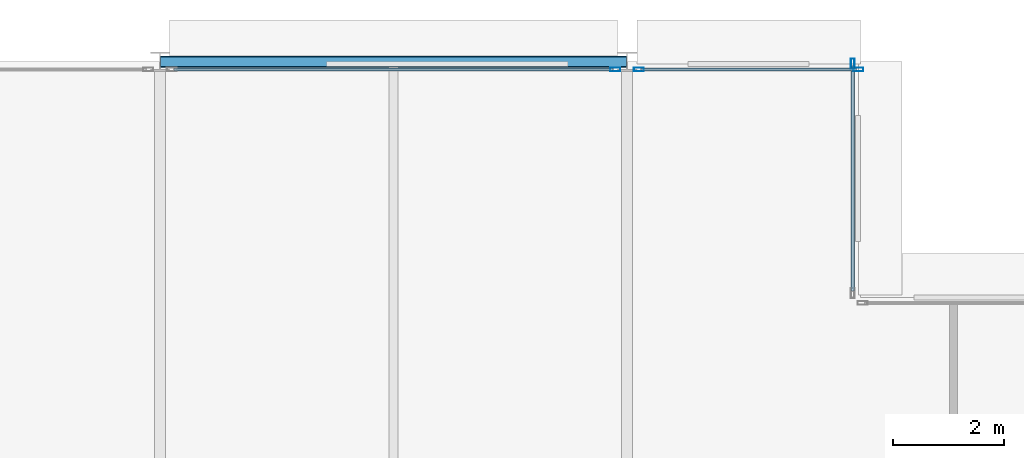
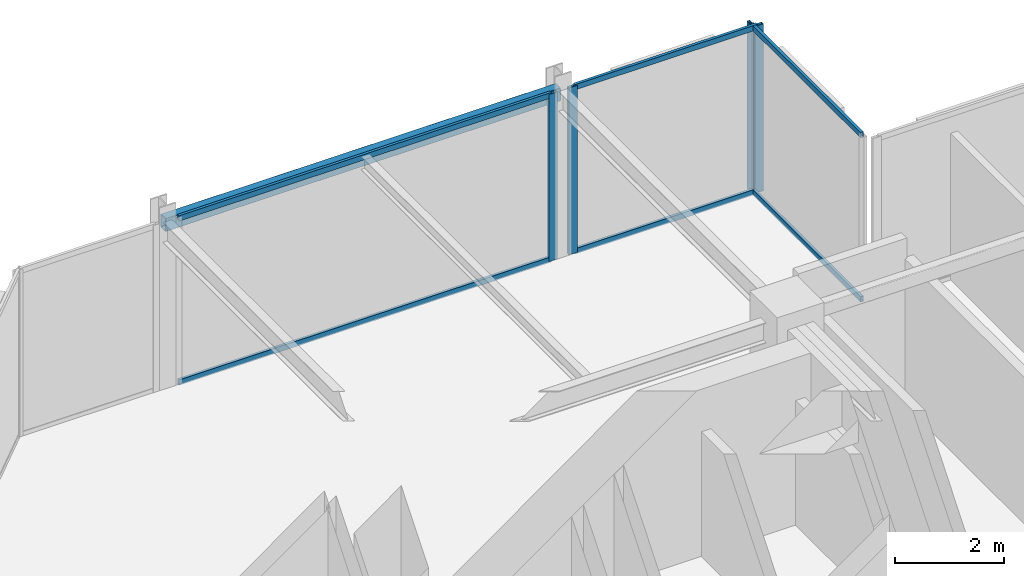
# One storey, part 21 of 30: 10 members, 1 beam, 3 elements without a shape of their own.
"""IFC4 building model written with IfcOpenShell, lengths in metres."""

from ifc_helpers import new_model, si_unit, direction, frame, origin, origin_2d, place, context, subcontext, project, spatial, hollow_rectangle, extrude, material, layer, layer_set, material_profile, profile_set, type_object, element, aggregate, save


model = new_model("IFC4")

# Units and contexts
model_context = context("Model", 3, precision=1e-05, world=origin(), true_north=direction((0.0, 1.0)))
body_context = subcontext(model_context, "Body", "Model", "MODEL_VIEW")
ifc_project = project(units=[si_unit("LENGTHUNIT", "METRE"), si_unit("AREAUNIT", "SQUARE_METRE"), si_unit("VOLUMEUNIT", "CUBIC_METRE"), si_unit("PLANEANGLEUNIT", "RADIAN"), si_unit("MASSUNIT", "GRAM", prefix="KILO")], contexts=[model_context])

# Site, building, storey
site_placement = place(None, origin())
site = spatial("IfcSite", under=ifc_project, at=site_placement, CompositionType="ELEMENT")
building_placement = place(site_placement, origin())
building = spatial("IfcBuilding", under=site, at=building_placement, Name="Nerrivon Quay Data Exchange", CompositionType="ELEMENT")
storey_placement = place(building_placement, frame((0.0, 0.0, 216.5)))
storey = spatial("IfcBuildingStorey", under=building, at=storey_placement, Name="L51", CompositionType="ELEMENT", Elevation=216.5)

# Beam
ifc_material_1 = material(Name="Steel Grade C350L0 (350 MPa)", Category="steel")
ifc_material_profile_1 = material_profile(ifc_material_1, hollow_rectangle(XDim=0.199951171875, YDim=0.300048828125, WallThickness=0.012451171875, InnerFilletRadius=0.018798828125, OuterFilletRadius=0.03125, at=origin_2d()), Name="300x200x12.5RHS")
ifc_profile_set_1 = profile_set([ifc_material_profile_1], Name="Steel Grade C350L0 (350 MPa)")
beam_type = type_object("IfcBeamType", Name="BM-SP3-300x200RHS", PredefinedType="SPANDREL", material=ifc_profile_set_1)
beam_placement = place(storey_placement, frame((8.409912109375, 50.39990234375, 3.60009765625), z_axis=(1.0, 0.0, 0.0), x_axis=(0.0, 1.0, 0.0)))
element("IfcBeam", 1, at=beam_placement, inside=storey, type_object=beam_type, Name="L51 EW Girder Y=50.4 (8.4..16.8)", PredefinedType="SPANDREL", context=body_context, shape_type="SweptSolid", body=[
    extrude(hollow_rectangle(XDim=0.199951171875, YDim=0.300048828125, WallThickness=0.012451171875, InnerFilletRadius=0.018798828125, OuterFilletRadius=0.03125, at=origin_2d()), origin(), (0.0, 0.0, 1.0), 8.380126953125),
])

# Curtain wall, member
ifc_material_2 = material(Name="Anodised aluminium 6063-T6", Category="aluminium")
ifc_layer = layer(ifc_material_2, 0.195068359375)
ifc_layer_set = layer_set([ifc_layer], Name="Anodised aluminium 6063-T6")
curtain_wall_type = type_object("IfcCurtainWallType", Name="CW-SYS-06", PredefinedType="NOTDEFINED", material=ifc_layer_set)
curtain_wall_1_placement = place(storey_placement, origin())
curtain_wall_1 = element("IfcCurtainWall", 2, at=curtain_wall_1_placement, inside=storey, type_object=curtain_wall_type, Name="L51 Unitised Curtain Wall 9", PredefinedType="NOTDEFINED")
ifc_material_profile_2 = material_profile(ifc_material_2, hollow_rectangle(XDim=0.06494140625, YDim=0.179931640625, WallThickness=0.00341796875, at=origin_2d()), Name="ALU-MULL-180x65")
ifc_profile_set_2 = profile_set([ifc_material_profile_2], Name="Anodised aluminium 6063-T6")
member_type_1 = type_object("IfcMemberType", Name="CWM-180x65", PredefinedType="MULLION", material=ifc_profile_set_2)
member_1_placement = place(storey_placement, frame((16.58740234375, 50.260009765625, 0.0), z_axis=(0.0, 0.0, 1.0), x_axis=(0.0, 1.0, 0.0)))
member_1 = element("IfcMember", 3, at=member_1_placement, type_object=member_type_1, Name="CW06 mullion 2", PredefinedType="MULLION", context=body_context, shape_type="SweptSolid", body=[
    extrude(hollow_rectangle(XDim=0.06494140625, YDim=0.179931640625, WallThickness=0.00341796875, at=origin_2d()), origin(), (0.0, 0.0, 1.0), 3.75),
])

# Curtain wall, members
curtain_wall_2_placement = place(storey_placement, origin())
curtain_wall_2 = element("IfcCurtainWall", 4, at=curtain_wall_2_placement, inside=storey, type_object=curtain_wall_type, Name="L51 Unitised Curtain Wall 10", PredefinedType="NOTDEFINED")
member_2_placement = place(storey_placement, frame((17.012451171875, 50.260009765625, 0.0), z_axis=(0.0, 0.0, 1.0), x_axis=(0.0, 1.0, 0.0)))
member_2 = element("IfcMember", 5, at=member_2_placement, type_object=member_type_1, Name="CW06 mullion 1", PredefinedType="MULLION", context=body_context, shape_type="SweptSolid", body=[
    extrude(hollow_rectangle(XDim=0.06494140625, YDim=0.179931640625, WallThickness=0.00341796875, at=origin_2d()), origin(), (0.0, 0.0, 1.0), 3.75),
])
member_3_placement = place(storey_placement, frame((20.96240234375, 50.260009765625, 0.0), z_axis=(0.0, 0.0, 1.0), x_axis=(0.0, 1.0, 0.0)))
member_3 = element("IfcMember", 6, at=member_3_placement, type_object=member_type_1, Name="CW06 mullion 2", PredefinedType="MULLION", context=body_context, shape_type="SweptSolid", body=[
    extrude(hollow_rectangle(XDim=0.06494140625, YDim=0.179931640625, WallThickness=0.00341796875, at=origin_2d()), origin(), (0.0, 0.0, 1.0), 3.75),
])

# Curtain wall, member
curtain_wall_3_placement = place(storey_placement, origin())
curtain_wall_3 = element("IfcCurtainWall", 7, at=curtain_wall_3_placement, inside=storey, type_object=curtain_wall_type, Name="L51 Unitised Curtain Wall 11", PredefinedType="NOTDEFINED")
member_4_placement = place(storey_placement, frame((20.860107421875, 50.362548828125, 0.0), z_axis=(0.0, 0.0, 1.0), x_axis=(1.0, 0.0, 0.0)))
member_4 = element("IfcMember", 8, at=member_4_placement, type_object=member_type_1, Name="CW06 mullion 1", PredefinedType="MULLION", context=body_context, shape_type="SweptSolid", body=[
    extrude(hollow_rectangle(XDim=0.06494140625, YDim=0.179931640625, WallThickness=0.00341796875, at=origin_2d()), origin(), (0.0, 0.0, 1.0), 3.75),
])

# Member
ifc_material_profile_3 = material_profile(ifc_material_2, hollow_rectangle(XDim=0.06005859375, YDim=0.1201171875, WallThickness=0.003173828125, at=origin_2d()), Name="ALU-TRAN-120x60")
ifc_profile_set_3 = profile_set([ifc_material_profile_3], Name="Anodised aluminium 6063-T6")
member_type_2 = type_object("IfcMemberType", Name="CWT-120x60", PredefinedType="USERDEFINED", material=ifc_profile_set_3)
member_5_placement = place(storey_placement, frame((8.64990234375, 50.260009765625, 0.032470703125), z_axis=(1.0, 0.0, 0.0), x_axis=(0.0, 1.0, 0.0)))
member_5 = element("IfcMember", 9, at=member_5_placement, type_object=member_type_2, Name="CW06 transom 1.1", ObjectType="TRANSOM", PredefinedType="USERDEFINED", context=body_context, shape_type="SweptSolid", body=[
    extrude(hollow_rectangle(XDim=0.06005859375, YDim=0.1201171875, WallThickness=0.003173828125, at=origin_2d()), origin(), (0.0, 0.0, 1.0), 7.900146484375),
])

member_6_placement = place(storey_placement, frame((8.64990234375, 50.260009765625, 3.717529296875), z_axis=(1.0, 0.0, 0.0), x_axis=(0.0, 1.0, 0.0)))
member_6 = element("IfcMember", 10, at=member_6_placement, type_object=member_type_2, Name="CW06 transom 1.2", ObjectType="TRANSOM", PredefinedType="USERDEFINED", context=body_context, shape_type="SweptSolid", body=[
    extrude(hollow_rectangle(XDim=0.06005859375, YDim=0.1201171875, WallThickness=0.003173828125, at=origin_2d()), origin(), (0.0, 0.0, 1.0), 7.900146484375),
])

aggregate(curtain_wall_1, [member_1, member_5, member_6])

member_7_placement = place(storey_placement, frame((17.050048828125, 50.260009765625, 0.032470703125), z_axis=(1.0, 0.0, 0.0), x_axis=(0.0, 1.0, 0.0)))
member_7 = element("IfcMember", 11, at=member_7_placement, type_object=member_type_2, Name="CW06 transom 1.1", ObjectType="TRANSOM", PredefinedType="USERDEFINED", context=body_context, shape_type="SweptSolid", body=[
    extrude(hollow_rectangle(XDim=0.06005859375, YDim=0.1201171875, WallThickness=0.003173828125, at=origin_2d()), origin(), (0.0, 0.0, 1.0), 3.875),
])

member_8_placement = place(storey_placement, frame((17.050048828125, 50.260009765625, 3.717529296875), z_axis=(1.0, 0.0, 0.0), x_axis=(0.0, 1.0, 0.0)))
member_8 = element("IfcMember", 12, at=member_8_placement, type_object=member_type_2, Name="CW06 transom 1.2", ObjectType="TRANSOM", PredefinedType="USERDEFINED", context=body_context, shape_type="SweptSolid", body=[
    extrude(hollow_rectangle(XDim=0.06005859375, YDim=0.1201171875, WallThickness=0.003173828125, at=origin_2d()), origin(), (0.0, 0.0, 1.0), 3.875),
])

aggregate(curtain_wall_2, [member_2, member_3, member_7, member_8])

member_9_placement = place(storey_placement, frame((20.860107421875, 50.324951171875, 0.032470703125), z_axis=(0.0, -1.0, 0.0), x_axis=(1.0, 0.0, 0.0)))
member_9 = element("IfcMember", 13, at=member_9_placement, type_object=member_type_2, Name="CW06 transom 1.1", ObjectType="TRANSOM", PredefinedType="USERDEFINED", context=body_context, shape_type="SweptSolid", body=[
    extrude(hollow_rectangle(XDim=0.06005859375, YDim=0.1201171875, WallThickness=0.003173828125, at=origin_2d()), origin(), (0.0, 0.0, 1.0), 4.050048828125),
])

member_10_placement = place(storey_placement, frame((20.860107421875, 50.324951171875, 3.717529296875), z_axis=(0.0, -1.0, 0.0), x_axis=(1.0, 0.0, 0.0)))
member_10 = element("IfcMember", 14, at=member_10_placement, type_object=member_type_2, Name="CW06 transom 1.2", ObjectType="TRANSOM", PredefinedType="USERDEFINED", context=body_context, shape_type="SweptSolid", body=[
    extrude(hollow_rectangle(XDim=0.06005859375, YDim=0.1201171875, WallThickness=0.003173828125, at=origin_2d()), origin(), (0.0, 0.0, 1.0), 4.050048828125),
])

aggregate(curtain_wall_3, [member_4, member_9, member_10])

save(model, "model.ifc")
